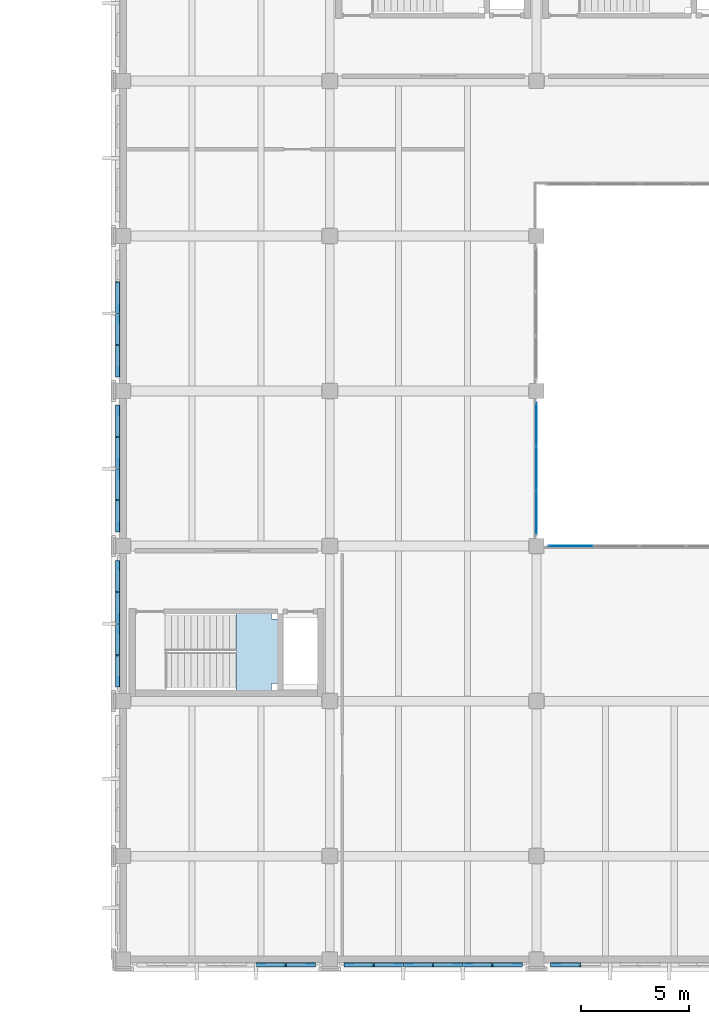
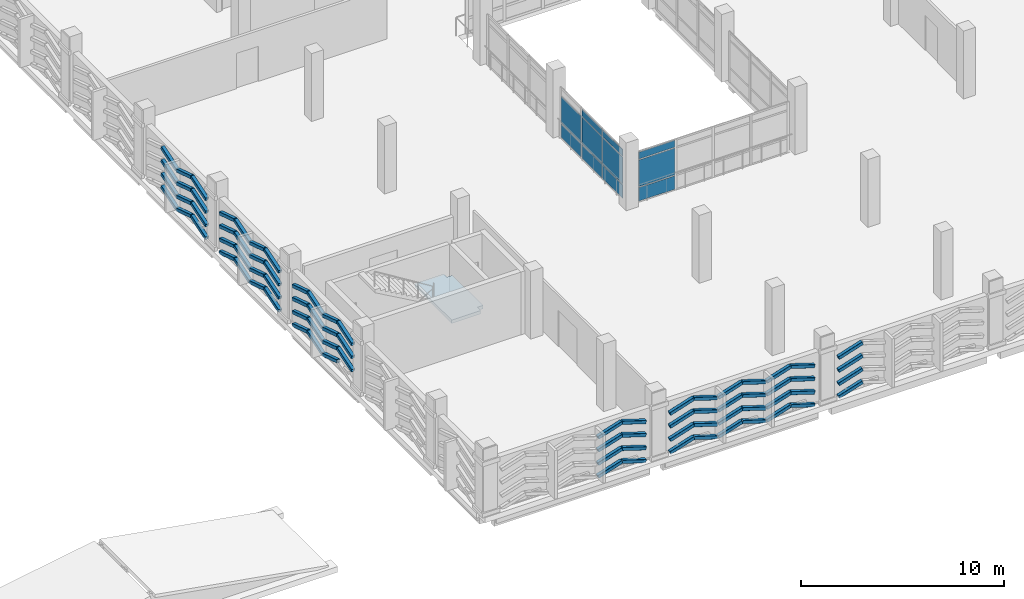
# One storey, part 125 of 180: 90 plates, 1 slab, 3 elements without a shape of their own.
"""IFC4 building model written with IfcOpenShell, lengths in metres."""

from ifc_helpers import new_model, si_unit, direction, frame, origin, origin_2d, place, context, subcontext, project, spatial, polyline, rectangle, hollow_rectangle, outline, extrude, material, layer, layer_set, material_profile, profile_set, type_object, element, aggregate, save


model = new_model("IFC4")

# Units and contexts
model_context = context("Model", 3, precision=1e-05, world=origin(), true_north=direction((0.0, 1.0)))
body_context = subcontext(model_context, "Body", "Model", "MODEL_VIEW")
ifc_project = project(units=[si_unit("LENGTHUNIT", "METRE"), si_unit("AREAUNIT", "SQUARE_METRE"), si_unit("VOLUMEUNIT", "CUBIC_METRE"), si_unit("PLANEANGLEUNIT", "RADIAN"), si_unit("MASSUNIT", "GRAM", prefix="KILO")], contexts=[model_context])

# Site, building, storey
site_placement = place(None, origin())
site = spatial("IfcSite", under=ifc_project, at=site_placement, CompositionType="ELEMENT")
building_placement = place(site_placement, origin())
building = spatial("IfcBuilding", under=site, at=building_placement, Name="Asteropetra Specialist Clinic", CompositionType="ELEMENT")
storey_placement = place(building_placement, frame((0.0, 0.0, 4.419921875)))
storey = spatial("IfcBuildingStorey", under=building, at=storey_placement, Name="L01", CompositionType="ELEMENT", Elevation=4.419921875)

# Plates
ifc_material_1 = material(Name="Chevron emerald aluminium 6063-T6", Category="aluminium")
ifc_material_profile = material_profile(ifc_material_1, hollow_rectangle(XDim=0.199951171875, YDim=0.199951171875, WallThickness=0.010009765625, InnerFilletRadius=0.008056640625, OuterFilletRadius=0.01611328125, at=origin_2d()), Name="SHS 200x200x10.0")
ifc_profile_set = profile_set([ifc_material_profile], Name="Chevron emerald aluminium 6063-T6")
plate_type_1 = type_object("IfcPlateType", Name="CHV-RIB-200", PredefinedType="SHEET", material=ifc_profile_set)
for number, where, z_axis, x_axis, name in (
    (1, (111.796630859375, -0.24951171875, 0.050048828125), (0.952436086829, 0.0, 0.304738413241), (0.0, 1.0, 0.0), "Chevron Facade Screen Fin CVR-1992"),
    (2, (113.1533203125, -0.24951171875, 0.484130859375), (0.952436086829, 0.0, -0.304738413241), (0.0, 1.0, 0.0), "Chevron Facade Screen Fin CVR-1993"),
    (3, (111.796630859375, -0.24951171875, 0.820068359375), (0.952436086829, 0.0, 0.304738413241), (0.0, 1.0, 0.0), "Chevron Facade Screen Fin CVR-1994"),
    (4, (113.1533203125, -0.24951171875, 1.254150390625), (0.952436086829, 0.0, -0.304738413241), (0.0, 1.0, 0.0), "Chevron Facade Screen Fin CVR-1995"),
    (5, (111.796630859375, -0.24951171875, 1.6201171875), (0.952436086829, 0.0, 0.304738413241), (0.0, 1.0, 0.0), "Chevron Facade Screen Fin CVR-1996"),
    (6, (113.1533203125, -0.24951171875, 2.05419921875), (0.952436086829, 0.0, -0.304738413241), (0.0, 1.0, 0.0), "Chevron Facade Screen Fin CVR-1997"),
    (7, (111.796630859375, -0.24951171875, 2.400146484375), (0.952436086829, 0.0, 0.304738413241), (0.0, 1.0, 0.0), "Chevron Facade Screen Fin CVR-1998"),
    (8, (113.1533203125, -0.24951171875, 2.834228515625), (0.952436086829, 0.0, -0.304738413241), (0.0, 1.0, 0.0), "Chevron Facade Screen Fin CVR-1999"),
    (9, (115.889892578125, -0.24951171875, 0.050048828125), (0.952436086829, 0.0, 0.304738413241), (0.0, 1.0, 0.0), "Chevron Facade Screen Fin CVR-2024"),
    (10, (117.24658203125, -0.24951171875, 0.484130859375), (0.952436086829, 0.0, -0.304738413241), (0.0, 1.0, 0.0), "Chevron Facade Screen Fin CVR-2025"),
    (11, (115.889892578125, -0.24951171875, 0.820068359375), (0.952436086829, 0.0, 0.304738413241), (0.0, 1.0, 0.0), "Chevron Facade Screen Fin CVR-2026"),
    (12, (117.24658203125, -0.24951171875, 1.254150390625), (0.952436086829, 0.0, -0.304738413241), (0.0, 1.0, 0.0), "Chevron Facade Screen Fin CVR-2027"),
    (13, (115.889892578125, -0.24951171875, 1.6201171875), (0.952436086829, 0.0, 0.304738413241), (0.0, 1.0, 0.0), "Chevron Facade Screen Fin CVR-2028"),
    (14, (117.24658203125, -0.24951171875, 2.05419921875), (0.952436086829, 0.0, -0.304738413241), (0.0, 1.0, 0.0), "Chevron Facade Screen Fin CVR-2029"),
    (15, (115.889892578125, -0.24951171875, 2.400146484375), (0.952436086829, 0.0, 0.304738413241), (0.0, 1.0, 0.0), "Chevron Facade Screen Fin CVR-2030"),
    (16, (117.24658203125, -0.24951171875, 2.834228515625), (0.952436086829, 0.0, -0.304738413241), (0.0, 1.0, 0.0), "Chevron Facade Screen Fin CVR-2031"),
    (17, (118.643310546875, -0.24951171875, 0.050048828125), (0.952436086829, 0.0, 0.304738413241), (0.0, 1.0, 0.0), "Chevron Facade Screen Fin CVR-2032"),
    (18, (120.0, -0.24951171875, 0.484130859375), (0.952436086829, 0.0, -0.304738413241), (0.0, 1.0, 0.0), "Chevron Facade Screen Fin CVR-2033"),
    (19, (118.643310546875, -0.24951171875, 0.820068359375), (0.952436086829, 0.0, 0.304738413241), (0.0, 1.0, 0.0), "Chevron Facade Screen Fin CVR-2034"),
    (20, (120.0, -0.24951171875, 1.254150390625), (0.952436086829, 0.0, -0.304738413241), (0.0, 1.0, 0.0), "Chevron Facade Screen Fin CVR-2035"),
    (21, (118.643310546875, -0.24951171875, 1.6201171875), (0.952436086829, 0.0, 0.304738413241), (0.0, 1.0, 0.0), "Chevron Facade Screen Fin CVR-2036"),
    (22, (120.0, -0.24951171875, 2.05419921875), (0.952436086829, 0.0, -0.304738413241), (0.0, 1.0, 0.0), "Chevron Facade Screen Fin CVR-2037"),
    (23, (118.643310546875, -0.24951171875, 2.400146484375), (0.952436086829, 0.0, 0.304738413241), (0.0, 1.0, 0.0), "Chevron Facade Screen Fin CVR-2038"),
    (24, (120.0, -0.24951171875, 2.834228515625), (0.952436086829, 0.0, -0.304738413241), (0.0, 1.0, 0.0), "Chevron Facade Screen Fin CVR-2039"),
    (25, (121.396728515625, -0.24951171875, 0.050048828125), (0.952436086829, 0.0, 0.304738413241), (0.0, 1.0, 0.0), "Chevron Facade Screen Fin CVR-2040"),
    (26, (122.75341796875, -0.24951171875, 0.484130859375), (0.952436086829, 0.0, -0.304738413241), (0.0, 1.0, 0.0), "Chevron Facade Screen Fin CVR-2041"),
    (27, (121.396728515625, -0.24951171875, 0.820068359375), (0.952436086829, 0.0, 0.304738413241), (0.0, 1.0, 0.0), "Chevron Facade Screen Fin CVR-2042"),
    (28, (122.75341796875, -0.24951171875, 1.254150390625), (0.952436086829, 0.0, -0.304738413241), (0.0, 1.0, 0.0), "Chevron Facade Screen Fin CVR-2043"),
    (29, (121.396728515625, -0.24951171875, 1.6201171875), (0.952436086829, 0.0, 0.304738413241), (0.0, 1.0, 0.0), "Chevron Facade Screen Fin CVR-2044"),
    (30, (122.75341796875, -0.24951171875, 2.05419921875), (0.952436086829, 0.0, -0.304738413241), (0.0, 1.0, 0.0), "Chevron Facade Screen Fin CVR-2045"),
    (31, (121.396728515625, -0.24951171875, 2.400146484375), (0.952436086829, 0.0, 0.304738413241), (0.0, 1.0, 0.0), "Chevron Facade Screen Fin CVR-2046"),
    (32, (122.75341796875, -0.24951171875, 2.834228515625), (0.952436086829, 0.0, -0.304738413241), (0.0, 1.0, 0.0), "Chevron Facade Screen Fin CVR-2047"),
    (33, (125.489990234375, -0.24951171875, 0.050048828125), (0.952436086829, 0.0, 0.304738413241), (0.0, 1.0, 0.0), "Chevron Facade Screen Fin CVR-2048"),
    (34, (125.489990234375, -0.24951171875, 0.820068359375), (0.952436086829, 0.0, 0.304738413241), (0.0, 1.0, 0.0), "Chevron Facade Screen Fin CVR-2050"),
    (35, (125.489990234375, -0.24951171875, 1.6201171875), (0.952436086829, 0.0, 0.304738413241), (0.0, 1.0, 0.0), "Chevron Facade Screen Fin CVR-2052"),
    (36, (125.489990234375, -0.24951171875, 2.400146484375), (0.952436086829, 0.0, 0.304738413241), (0.0, 1.0, 0.0), "Chevron Facade Screen Fin CVR-2054"),
):
    element("IfcPlate", number, at=place(storey_placement, frame(where, z_axis=z_axis, x_axis=x_axis)), inside=storey, type_object=plate_type_1, Name=name, PredefinedType="SHEET", context=body_context, shape_type="SweptSolid", body=[
        extrude(hollow_rectangle(XDim=0.199951171875, YDim=0.199951171875, WallThickness=0.010009765625, InnerFilletRadius=0.008056640625, OuterFilletRadius=0.01611328125, at=origin_2d()), origin(), (0.0, 0.0, 1.0), 1.424560546875),
    ])
plate_1_placement = place(storey_placement, frame((105.3505859375, 18.510009765625, 0.050048828125), z_axis=(0.0, -0.952521261695, 0.304472077568), x_axis=(1.0, 0.0, 0.0)))
element("IfcPlate", 37, at=plate_1_placement, inside=storey, type_object=plate_type_1, Name="Chevron Facade Screen Fin CVR-2240", PredefinedType="SHEET", context=body_context, shape_type="SweptSolid", body=[
    extrude(hollow_rectangle(XDim=0.199951171875, YDim=0.199951171875, WallThickness=0.010009765625, InnerFilletRadius=0.008056640625, OuterFilletRadius=0.01611328125, at=origin_2d()), origin(), (0.0, 0.0, 1.0), 1.51708984375),
])
plate_2_placement = place(storey_placement, frame((105.3505859375, 17.06494140625, 0.511962890625), z_axis=(0.0, -0.952506339897, -0.304518755506), x_axis=(1.0, 0.0, 0.0)))
element("IfcPlate", 38, at=plate_2_placement, inside=storey, type_object=plate_type_1, Name="Chevron Facade Screen Fin CVR-2241", PredefinedType="SHEET", context=body_context, shape_type="SweptSolid", body=[
    extrude(hollow_rectangle(XDim=0.199951171875, YDim=0.199951171875, WallThickness=0.010009765625, InnerFilletRadius=0.008056640625, OuterFilletRadius=0.01611328125, at=origin_2d()), origin(), (0.0, 0.0, 1.0), 1.516845703125),
])
plate_3_placement = place(storey_placement, frame((105.3505859375, 18.510009765625, 0.820068359375), z_axis=(0.0, -0.952521261695, 0.304472077568), x_axis=(1.0, 0.0, 0.0)))
element("IfcPlate", 39, at=plate_3_placement, inside=storey, type_object=plate_type_1, Name="Chevron Facade Screen Fin CVR-2242", PredefinedType="SHEET", context=body_context, shape_type="SweptSolid", body=[
    extrude(hollow_rectangle(XDim=0.199951171875, YDim=0.199951171875, WallThickness=0.010009765625, InnerFilletRadius=0.008056640625, OuterFilletRadius=0.01611328125, at=origin_2d()), origin(), (0.0, 0.0, 1.0), 1.51708984375),
])
plate_4_placement = place(storey_placement, frame((105.3505859375, 17.06494140625, 1.281982421875), z_axis=(0.0, -0.952506339897, -0.304518755506), x_axis=(1.0, 0.0, 0.0)))
element("IfcPlate", 40, at=plate_4_placement, inside=storey, type_object=plate_type_1, Name="Chevron Facade Screen Fin CVR-2243", PredefinedType="SHEET", context=body_context, shape_type="SweptSolid", body=[
    extrude(hollow_rectangle(XDim=0.199951171875, YDim=0.199951171875, WallThickness=0.010009765625, InnerFilletRadius=0.008056640625, OuterFilletRadius=0.01611328125, at=origin_2d()), origin(), (0.0, 0.0, 1.0), 1.516845703125),
])
plate_5_placement = place(storey_placement, frame((105.3505859375, 18.510009765625, 1.6201171875), z_axis=(0.0, -0.952521261695, 0.304472077568), x_axis=(1.0, 0.0, 0.0)))
element("IfcPlate", 41, at=plate_5_placement, inside=storey, type_object=plate_type_1, Name="Chevron Facade Screen Fin CVR-2244", PredefinedType="SHEET", context=body_context, shape_type="SweptSolid", body=[
    extrude(hollow_rectangle(XDim=0.199951171875, YDim=0.199951171875, WallThickness=0.010009765625, InnerFilletRadius=0.008056640625, OuterFilletRadius=0.01611328125, at=origin_2d()), origin(), (0.0, 0.0, 1.0), 1.51708984375),
])
plate_6_placement = place(storey_placement, frame((105.3505859375, 17.06494140625, 2.08203125), z_axis=(0.0, -0.952506339897, -0.304518755506), x_axis=(1.0, 0.0, 0.0)))
element("IfcPlate", 42, at=plate_6_placement, inside=storey, type_object=plate_type_1, Name="Chevron Facade Screen Fin CVR-2245", PredefinedType="SHEET", context=body_context, shape_type="SweptSolid", body=[
    extrude(hollow_rectangle(XDim=0.199951171875, YDim=0.199951171875, WallThickness=0.010009765625, InnerFilletRadius=0.008056640625, OuterFilletRadius=0.01611328125, at=origin_2d()), origin(), (0.0, 0.0, 1.0), 1.516845703125),
])
plate_7_placement = place(storey_placement, frame((105.3505859375, 18.510009765625, 2.400146484375), z_axis=(0.0, -0.952521261695, 0.304472077568), x_axis=(1.0, 0.0, 0.0)))
element("IfcPlate", 43, at=plate_7_placement, inside=storey, type_object=plate_type_1, Name="Chevron Facade Screen Fin CVR-2246", PredefinedType="SHEET", context=body_context, shape_type="SweptSolid", body=[
    extrude(hollow_rectangle(XDim=0.199951171875, YDim=0.199951171875, WallThickness=0.010009765625, InnerFilletRadius=0.008056640625, OuterFilletRadius=0.01611328125, at=origin_2d()), origin(), (0.0, 0.0, 1.0), 1.51708984375),
])
plate_8_placement = place(storey_placement, frame((105.3505859375, 17.06494140625, 2.862060546875), z_axis=(0.0, -0.952506339897, -0.304518755506), x_axis=(1.0, 0.0, 0.0)))
element("IfcPlate", 44, at=plate_8_placement, inside=storey, type_object=plate_type_1, Name="Chevron Facade Screen Fin CVR-2247", PredefinedType="SHEET", context=body_context, shape_type="SweptSolid", body=[
    extrude(hollow_rectangle(XDim=0.199951171875, YDim=0.199951171875, WallThickness=0.010009765625, InnerFilletRadius=0.008056640625, OuterFilletRadius=0.01611328125, at=origin_2d()), origin(), (0.0, 0.0, 1.0), 1.516845703125),
])
for number, where, z_axis, x_axis, name in (
    (45, (105.3505859375, 15.580078125, 0.050048828125), (0.0, -0.952521261695, 0.304472077568), (1.0, 0.0, 0.0), "Chevron Facade Screen Fin CVR-2248"),
    (46, (105.3505859375, 15.580078125, 0.820068359375), (0.0, -0.952521261695, 0.304472077568), (1.0, 0.0, 0.0), "Chevron Facade Screen Fin CVR-2250"),
    (47, (105.3505859375, 14.135009765625, 1.281982421875), (0.0, -0.952521261695, -0.304472077568), (1.0, 0.0, 0.0), "Chevron Facade Screen Fin CVR-2251"),
    (48, (105.3505859375, 15.580078125, 1.6201171875), (0.0, -0.952521261695, 0.304472077568), (1.0, 0.0, 0.0), "Chevron Facade Screen Fin CVR-2252"),
    (49, (105.3505859375, 14.135009765625, 2.08203125), (0.0, -0.952521261695, -0.304472077568), (1.0, 0.0, 0.0), "Chevron Facade Screen Fin CVR-2253"),
    (50, (105.3505859375, 15.580078125, 2.400146484375), (0.0, -0.952521261695, 0.304472077568), (1.0, 0.0, 0.0), "Chevron Facade Screen Fin CVR-2254"),
    (51, (105.3505859375, 14.135009765625, 2.862060546875), (0.0, -0.952521261695, -0.304472077568), (1.0, 0.0, 0.0), "Chevron Facade Screen Fin CVR-2255"),
    (52, (105.3505859375, 25.7099609375, 0.050048828125), (0.0, -0.952521261695, 0.304472077568), (1.0, 0.0, 0.0), "Chevron Facade Screen Fin CVR-2272"),
):
    element("IfcPlate", number, at=place(storey_placement, frame(where, z_axis=z_axis, x_axis=x_axis)), inside=storey, type_object=plate_type_1, Name=name, PredefinedType="SHEET", context=body_context, shape_type="SweptSolid", body=[
        extrude(hollow_rectangle(XDim=0.199951171875, YDim=0.199951171875, WallThickness=0.010009765625, InnerFilletRadius=0.008056640625, OuterFilletRadius=0.01611328125, at=origin_2d()), origin(), (0.0, 0.0, 1.0), 1.51708984375),
    ])
plate_9_placement = place(storey_placement, frame((105.3505859375, 24.264892578125, 0.511962890625), z_axis=(0.0, -0.952506339897, -0.304518755506), x_axis=(1.0, 0.0, 0.0)))
element("IfcPlate", 53, at=plate_9_placement, inside=storey, type_object=plate_type_1, Name="Chevron Facade Screen Fin CVR-2273", PredefinedType="SHEET", context=body_context, shape_type="SweptSolid", body=[
    extrude(hollow_rectangle(XDim=0.199951171875, YDim=0.199951171875, WallThickness=0.010009765625, InnerFilletRadius=0.008056640625, OuterFilletRadius=0.01611328125, at=origin_2d()), origin(), (0.0, 0.0, 1.0), 1.516845703125),
])
plate_10_placement = place(storey_placement, frame((105.3505859375, 25.7099609375, 0.820068359375), z_axis=(0.0, -0.952521261695, 0.304472077568), x_axis=(1.0, 0.0, 0.0)))
element("IfcPlate", 54, at=plate_10_placement, inside=storey, type_object=plate_type_1, Name="Chevron Facade Screen Fin CVR-2274", PredefinedType="SHEET", context=body_context, shape_type="SweptSolid", body=[
    extrude(hollow_rectangle(XDim=0.199951171875, YDim=0.199951171875, WallThickness=0.010009765625, InnerFilletRadius=0.008056640625, OuterFilletRadius=0.01611328125, at=origin_2d()), origin(), (0.0, 0.0, 1.0), 1.51708984375),
])
plate_11_placement = place(storey_placement, frame((105.3505859375, 24.264892578125, 1.281982421875), z_axis=(0.0, -0.952506339897, -0.304518755506), x_axis=(1.0, 0.0, 0.0)))
element("IfcPlate", 55, at=plate_11_placement, inside=storey, type_object=plate_type_1, Name="Chevron Facade Screen Fin CVR-2275", PredefinedType="SHEET", context=body_context, shape_type="SweptSolid", body=[
    extrude(hollow_rectangle(XDim=0.199951171875, YDim=0.199951171875, WallThickness=0.010009765625, InnerFilletRadius=0.008056640625, OuterFilletRadius=0.01611328125, at=origin_2d()), origin(), (0.0, 0.0, 1.0), 1.516845703125),
])
plate_12_placement = place(storey_placement, frame((105.3505859375, 25.7099609375, 1.6201171875), z_axis=(0.0, -0.952521261695, 0.304472077568), x_axis=(1.0, 0.0, 0.0)))
element("IfcPlate", 56, at=plate_12_placement, inside=storey, type_object=plate_type_1, Name="Chevron Facade Screen Fin CVR-2276", PredefinedType="SHEET", context=body_context, shape_type="SweptSolid", body=[
    extrude(hollow_rectangle(XDim=0.199951171875, YDim=0.199951171875, WallThickness=0.010009765625, InnerFilletRadius=0.008056640625, OuterFilletRadius=0.01611328125, at=origin_2d()), origin(), (0.0, 0.0, 1.0), 1.51708984375),
])
plate_13_placement = place(storey_placement, frame((105.3505859375, 24.264892578125, 2.08203125), z_axis=(0.0, -0.952506339897, -0.304518755506), x_axis=(1.0, 0.0, 0.0)))
element("IfcPlate", 57, at=plate_13_placement, inside=storey, type_object=plate_type_1, Name="Chevron Facade Screen Fin CVR-2277", PredefinedType="SHEET", context=body_context, shape_type="SweptSolid", body=[
    extrude(hollow_rectangle(XDim=0.199951171875, YDim=0.199951171875, WallThickness=0.010009765625, InnerFilletRadius=0.008056640625, OuterFilletRadius=0.01611328125, at=origin_2d()), origin(), (0.0, 0.0, 1.0), 1.516845703125),
])
plate_14_placement = place(storey_placement, frame((105.3505859375, 25.7099609375, 2.400146484375), z_axis=(0.0, -0.952521261695, 0.304472077568), x_axis=(1.0, 0.0, 0.0)))
element("IfcPlate", 58, at=plate_14_placement, inside=storey, type_object=plate_type_1, Name="Chevron Facade Screen Fin CVR-2278", PredefinedType="SHEET", context=body_context, shape_type="SweptSolid", body=[
    extrude(hollow_rectangle(XDim=0.199951171875, YDim=0.199951171875, WallThickness=0.010009765625, InnerFilletRadius=0.008056640625, OuterFilletRadius=0.01611328125, at=origin_2d()), origin(), (0.0, 0.0, 1.0), 1.51708984375),
])
plate_15_placement = place(storey_placement, frame((105.3505859375, 24.264892578125, 2.862060546875), z_axis=(0.0, -0.952506339897, -0.304518755506), x_axis=(1.0, 0.0, 0.0)))
element("IfcPlate", 59, at=plate_15_placement, inside=storey, type_object=plate_type_1, Name="Chevron Facade Screen Fin CVR-2279", PredefinedType="SHEET", context=body_context, shape_type="SweptSolid", body=[
    extrude(hollow_rectangle(XDim=0.199951171875, YDim=0.199951171875, WallThickness=0.010009765625, InnerFilletRadius=0.008056640625, OuterFilletRadius=0.01611328125, at=origin_2d()), origin(), (0.0, 0.0, 1.0), 1.516845703125),
])
for number, where, z_axis, x_axis, name in (
    (60, (105.3505859375, 22.780029296875, 0.050048828125), (0.0, -0.952521261695, 0.304472077568), (1.0, 0.0, 0.0), "Chevron Facade Screen Fin CVR-2280"),
    (61, (105.3505859375, 21.3349609375, 0.511962890625), (0.0, -0.952521261695, -0.304472077568), (1.0, 0.0, 0.0), "Chevron Facade Screen Fin CVR-2281"),
    (62, (105.3505859375, 22.780029296875, 0.820068359375), (0.0, -0.952521261695, 0.304472077568), (1.0, 0.0, 0.0), "Chevron Facade Screen Fin CVR-2282"),
    (63, (105.3505859375, 21.3349609375, 1.281982421875), (0.0, -0.952521261695, -0.304472077568), (1.0, 0.0, 0.0), "Chevron Facade Screen Fin CVR-2283"),
    (64, (105.3505859375, 22.780029296875, 1.6201171875), (0.0, -0.952521261695, 0.304472077568), (1.0, 0.0, 0.0), "Chevron Facade Screen Fin CVR-2284"),
    (65, (105.3505859375, 21.3349609375, 2.08203125), (0.0, -0.952521261695, -0.304472077568), (1.0, 0.0, 0.0), "Chevron Facade Screen Fin CVR-2285"),
    (66, (105.3505859375, 22.780029296875, 2.400146484375), (0.0, -0.952521261695, 0.304472077568), (1.0, 0.0, 0.0), "Chevron Facade Screen Fin CVR-2286"),
    (67, (105.3505859375, 21.3349609375, 2.862060546875), (0.0, -0.952521261695, -0.304472077568), (1.0, 0.0, 0.0), "Chevron Facade Screen Fin CVR-2287"),
    (68, (105.3505859375, 31.465087890625, 0.511962890625), (0.0, -0.952521261695, -0.304472077568), (1.0, 0.0, 0.0), "Chevron Facade Screen Fin CVR-2305"),
    (69, (105.3505859375, 31.465087890625, 1.281982421875), (0.0, -0.952521261695, -0.304472077568), (1.0, 0.0, 0.0), "Chevron Facade Screen Fin CVR-2307"),
    (70, (105.3505859375, 31.465087890625, 2.08203125), (0.0, -0.952521261695, -0.304472077568), (1.0, 0.0, 0.0), "Chevron Facade Screen Fin CVR-2309"),
    (71, (105.3505859375, 31.465087890625, 2.862060546875), (0.0, -0.952521261695, -0.304472077568), (1.0, 0.0, 0.0), "Chevron Facade Screen Fin CVR-2311"),
    (72, (105.3505859375, 29.97998046875, 0.050048828125), (0.0, -0.952521261695, 0.304472077568), (1.0, 0.0, 0.0), "Chevron Facade Screen Fin CVR-2312"),
):
    element("IfcPlate", number, at=place(storey_placement, frame(where, z_axis=z_axis, x_axis=x_axis)), inside=storey, type_object=plate_type_1, Name=name, PredefinedType="SHEET", context=body_context, shape_type="SweptSolid", body=[
        extrude(hollow_rectangle(XDim=0.199951171875, YDim=0.199951171875, WallThickness=0.010009765625, InnerFilletRadius=0.008056640625, OuterFilletRadius=0.01611328125, at=origin_2d()), origin(), (0.0, 0.0, 1.0), 1.51708984375),
    ])
plate_16_placement = place(storey_placement, frame((105.3505859375, 28.534912109375, 0.511962890625), z_axis=(0.0, -0.952506339897, -0.304518755506), x_axis=(1.0, 0.0, 0.0)))
element("IfcPlate", 73, at=plate_16_placement, inside=storey, type_object=plate_type_1, Name="Chevron Facade Screen Fin CVR-2313", PredefinedType="SHEET", context=body_context, shape_type="SweptSolid", body=[
    extrude(hollow_rectangle(XDim=0.199951171875, YDim=0.199951171875, WallThickness=0.010009765625, InnerFilletRadius=0.008056640625, OuterFilletRadius=0.01611328125, at=origin_2d()), origin(), (0.0, 0.0, 1.0), 1.516845703125),
])
plate_17_placement = place(storey_placement, frame((105.3505859375, 29.97998046875, 0.820068359375), z_axis=(0.0, -0.952521261695, 0.304472077568), x_axis=(1.0, 0.0, 0.0)))
element("IfcPlate", 74, at=plate_17_placement, inside=storey, type_object=plate_type_1, Name="Chevron Facade Screen Fin CVR-2314", PredefinedType="SHEET", context=body_context, shape_type="SweptSolid", body=[
    extrude(hollow_rectangle(XDim=0.199951171875, YDim=0.199951171875, WallThickness=0.010009765625, InnerFilletRadius=0.008056640625, OuterFilletRadius=0.01611328125, at=origin_2d()), origin(), (0.0, 0.0, 1.0), 1.51708984375),
])
plate_18_placement = place(storey_placement, frame((105.3505859375, 28.534912109375, 1.281982421875), z_axis=(0.0, -0.952506339897, -0.304518755506), x_axis=(1.0, 0.0, 0.0)))
element("IfcPlate", 75, at=plate_18_placement, inside=storey, type_object=plate_type_1, Name="Chevron Facade Screen Fin CVR-2315", PredefinedType="SHEET", context=body_context, shape_type="SweptSolid", body=[
    extrude(hollow_rectangle(XDim=0.199951171875, YDim=0.199951171875, WallThickness=0.010009765625, InnerFilletRadius=0.008056640625, OuterFilletRadius=0.01611328125, at=origin_2d()), origin(), (0.0, 0.0, 1.0), 1.516845703125),
])
plate_19_placement = place(storey_placement, frame((105.3505859375, 29.97998046875, 1.6201171875), z_axis=(0.0, -0.952521261695, 0.304472077568), x_axis=(1.0, 0.0, 0.0)))
element("IfcPlate", 76, at=plate_19_placement, inside=storey, type_object=plate_type_1, Name="Chevron Facade Screen Fin CVR-2316", PredefinedType="SHEET", context=body_context, shape_type="SweptSolid", body=[
    extrude(hollow_rectangle(XDim=0.199951171875, YDim=0.199951171875, WallThickness=0.010009765625, InnerFilletRadius=0.008056640625, OuterFilletRadius=0.01611328125, at=origin_2d()), origin(), (0.0, 0.0, 1.0), 1.51708984375),
])
plate_20_placement = place(storey_placement, frame((105.3505859375, 28.534912109375, 2.08203125), z_axis=(0.0, -0.952506339897, -0.304518755506), x_axis=(1.0, 0.0, 0.0)))
element("IfcPlate", 77, at=plate_20_placement, inside=storey, type_object=plate_type_1, Name="Chevron Facade Screen Fin CVR-2317", PredefinedType="SHEET", context=body_context, shape_type="SweptSolid", body=[
    extrude(hollow_rectangle(XDim=0.199951171875, YDim=0.199951171875, WallThickness=0.010009765625, InnerFilletRadius=0.008056640625, OuterFilletRadius=0.01611328125, at=origin_2d()), origin(), (0.0, 0.0, 1.0), 1.516845703125),
])
plate_21_placement = place(storey_placement, frame((105.3505859375, 29.97998046875, 2.400146484375), z_axis=(0.0, -0.952521261695, 0.304472077568), x_axis=(1.0, 0.0, 0.0)))
element("IfcPlate", 78, at=plate_21_placement, inside=storey, type_object=plate_type_1, Name="Chevron Facade Screen Fin CVR-2318", PredefinedType="SHEET", context=body_context, shape_type="SweptSolid", body=[
    extrude(hollow_rectangle(XDim=0.199951171875, YDim=0.199951171875, WallThickness=0.010009765625, InnerFilletRadius=0.008056640625, OuterFilletRadius=0.01611328125, at=origin_2d()), origin(), (0.0, 0.0, 1.0), 1.51708984375),
])
plate_22_placement = place(storey_placement, frame((105.3505859375, 28.534912109375, 2.862060546875), z_axis=(0.0, -0.952506339897, -0.304518755506), x_axis=(1.0, 0.0, 0.0)))
element("IfcPlate", 79, at=plate_22_placement, inside=storey, type_object=plate_type_1, Name="Chevron Facade Screen Fin CVR-2319", PredefinedType="SHEET", context=body_context, shape_type="SweptSolid", body=[
    extrude(hollow_rectangle(XDim=0.199951171875, YDim=0.199951171875, WallThickness=0.010009765625, InnerFilletRadius=0.008056640625, OuterFilletRadius=0.01611328125, at=origin_2d()), origin(), (0.0, 0.0, 1.0), 1.516845703125),
])

# Curtain wall, plates
ifc_material_2 = material(Name="Aluminium and low-E glass", Category="aluminium")
ifc_layer_1 = layer(ifc_material_2, 0.179931640625)
ifc_layer_set_1 = layer_set([ifc_layer_1], Name="Aluminium and low-E glass")
curtain_wall_type_1 = type_object("IfcCurtainWallType", Name="CW-SYS-10", PredefinedType="USERDEFINED", material=ifc_layer_set_1)
curtain_wall_1_placement = place(storey_placement, origin())
curtain_wall_1 = element("IfcCurtainWall", 80, at=curtain_wall_1_placement, inside=storey, type_object=curtain_wall_type_1, Name="Curtain Wall CW-073", ObjectType="STICK GLAZED COLONNADE", PredefinedType="USERDEFINED")
ifc_material_3 = material(Name="Low-E acoustic double glazing", Category="glass")
ifc_layer_2 = layer(ifc_material_3, 0.031982421875)
ifc_layer_set_2 = layer_set([ifc_layer_2], Name="Low-E acoustic double glazing")
plate_type_2 = type_object("IfcPlateType", Name="CWP-GLZ-32", PredefinedType="CURTAIN_PANEL", material=ifc_layer_set_2)
plate_23_placement = place(storey_placement, frame((124.800048828125, 24.84375, 0.06494140625), z_axis=(0.0, 0.0, 1.0), x_axis=(0.0, -1.0, 0.0)))
plate_23 = element("IfcPlate", 81, at=plate_23_placement, type_object=plate_type_2, Name="CW-073 panel 1.1", PredefinedType="CURTAIN_PANEL", context=body_context, shape_type="SweptSolid", body=[
    extrude(rectangle(XDim=1.96240234375, YDim=0.031982421875, at=origin_2d()), origin(), (0.0, 0.0, 1.0), 0.802490234375),
])
plate_24_placement = place(storey_placement, frame((124.800048828125, 24.84375, 0.9326171875), z_axis=(0.0, 0.0, 1.0), x_axis=(0.0, -1.0, 0.0)))
plate_24 = element("IfcPlate", 82, at=plate_24_placement, type_object=plate_type_2, Name="CW-073 panel 1.2", PredefinedType="CURTAIN_PANEL", context=body_context, shape_type="SweptSolid", body=[
    extrude(rectangle(XDim=1.96240234375, YDim=0.031982421875, at=origin_2d()), origin(), (0.0, 0.0, 1.0), 1.594970703125),
])
plate_25_placement = place(storey_placement, frame((124.800048828125, 22.800048828125, 0.06494140625), z_axis=(0.0, 0.0, 1.0), x_axis=(0.0, -1.0, 0.0)))
plate_25 = element("IfcPlate", 83, at=plate_25_placement, type_object=plate_type_2, Name="CW-073 panel 2.1", PredefinedType="CURTAIN_PANEL", context=body_context, shape_type="SweptSolid", body=[
    extrude(rectangle(XDim=1.9951171875, YDim=0.031982421875, at=origin_2d()), origin(), (0.0, 0.0, 1.0), 0.802490234375),
])
plate_26_placement = place(storey_placement, frame((124.800048828125, 22.800048828125, 0.9326171875), z_axis=(0.0, 0.0, 1.0), x_axis=(0.0, -1.0, 0.0)))
plate_26 = element("IfcPlate", 84, at=plate_26_placement, type_object=plate_type_2, Name="CW-073 panel 2.2", PredefinedType="CURTAIN_PANEL", context=body_context, shape_type="SweptSolid", body=[
    extrude(rectangle(XDim=1.9951171875, YDim=0.031982421875, at=origin_2d()), origin(), (0.0, 0.0, 1.0), 1.594970703125),
])
plate_27_placement = place(storey_placement, frame((124.800048828125, 22.800048828125, 2.5927734375), z_axis=(0.0, 0.0, 1.0), x_axis=(0.0, -1.0, 0.0)))
plate_27 = element("IfcPlate", 85, at=plate_27_placement, type_object=plate_type_2, Name="CW-073 panel 2.3", PredefinedType="CURTAIN_PANEL", context=body_context, shape_type="SweptSolid", body=[
    extrude(rectangle(XDim=1.9951171875, YDim=0.031982421875, at=origin_2d()), origin(), (0.0, 0.0, 1.0), 0.402587890625),
])
plate_28_placement = place(storey_placement, frame((124.800048828125, 20.75634765625, 0.06494140625), z_axis=(0.0, 0.0, 1.0), x_axis=(0.0, -1.0, 0.0)))
plate_28 = element("IfcPlate", 86, at=plate_28_placement, type_object=plate_type_2, Name="CW-073 panel 3.1", PredefinedType="CURTAIN_PANEL", context=body_context, shape_type="SweptSolid", body=[
    extrude(rectangle(XDim=1.96240234375, YDim=0.031982421875, at=origin_2d()), origin(), (0.0, 0.0, 1.0), 0.802490234375),
])
plate_29_placement = place(storey_placement, frame((124.800048828125, 20.75634765625, 0.9326171875), z_axis=(0.0, 0.0, 1.0), x_axis=(0.0, -1.0, 0.0)))
plate_29 = element("IfcPlate", 87, at=plate_29_placement, type_object=plate_type_2, Name="CW-073 panel 3.2", PredefinedType="CURTAIN_PANEL", context=body_context, shape_type="SweptSolid", body=[
    extrude(rectangle(XDim=1.96240234375, YDim=0.031982421875, at=origin_2d()), origin(), (0.0, 0.0, 1.0), 1.594970703125),
])
plate_30_placement = place(storey_placement, frame((124.800048828125, 20.75634765625, 2.5927734375), z_axis=(0.0, 0.0, 1.0), x_axis=(0.0, -1.0, 0.0)))
plate_30 = element("IfcPlate", 88, at=plate_30_placement, type_object=plate_type_2, Name="CW-073 panel 3.3", PredefinedType="CURTAIN_PANEL", context=body_context, shape_type="SweptSolid", body=[
    extrude(rectangle(XDim=1.96240234375, YDim=0.031982421875, at=origin_2d()), origin(), (0.0, 0.0, 1.0), 0.402587890625),
])
aggregate(curtain_wall_1, [plate_23, plate_24, plate_25, plate_26, plate_27, plate_28, plate_29, plate_30])

ifc_material_4 = material(Name="Aluminium and low-E glass", Category="aluminium")
ifc_layer_3 = layer(ifc_material_4, 0.14990234375)
ifc_layer_set_3 = layer_set([ifc_layer_3], Name="Aluminium and low-E glass")
curtain_wall_type_2 = type_object("IfcCurtainWallType", Name="CW-SYS-08", PredefinedType="USERDEFINED", material=ifc_layer_set_3)
curtain_wall_2_placement = place(storey_placement, origin())
curtain_wall_2 = element("IfcCurtainWall", 89, at=curtain_wall_2_placement, inside=storey, type_object=curtain_wall_type_2, Name="Curtain Wall CW-071", ObjectType="STICK GLAZED COLONNADE", PredefinedType="USERDEFINED")
ifc_material_5 = material(Name="Laminated skylight glazing", Category="glass")
ifc_layer_4 = layer(ifc_material_5, 0.0400390625)
ifc_layer_set_4 = layer_set([ifc_layer_4], Name="Laminated skylight glazing")
plate_type_3 = type_object("IfcPlateType", Name="CWP-GLZ-40", PredefinedType="CURTAIN_PANEL", material=ifc_layer_set_4)
plate_31_placement = place(storey_placement, frame((126.3974609375, 19.199951171875, 0.06005859375), z_axis=(0.0, 0.0, 1.0), x_axis=(1.0, 0.0, 0.0)))
plate_31 = element("IfcPlate", 90, at=plate_31_placement, type_object=plate_type_3, Name="CW-071 panel 1.1", PredefinedType="CURTAIN_PANEL", context=body_context, shape_type="SweptSolid", body=[
    extrude(rectangle(XDim=2.054931640625, YDim=0.0400390625, at=origin_2d()), origin(), (0.0, 0.0, 1.0), 0.81005859375),
])
plate_32_placement = place(storey_placement, frame((126.3974609375, 19.199951171875, 0.929931640625), z_axis=(0.0, 0.0, 1.0), x_axis=(1.0, 0.0, 0.0)))
plate_32 = element("IfcPlate", 91, at=plate_32_placement, type_object=plate_type_3, Name="CW-071 panel 1.2", PredefinedType="CURTAIN_PANEL", context=body_context, shape_type="SweptSolid", body=[
    extrude(rectangle(XDim=2.054931640625, YDim=0.0400390625, at=origin_2d()), origin(), (0.0, 0.0, 1.0), 1.60009765625),
])
plate_33_placement = place(storey_placement, frame((126.3974609375, 19.199951171875, 2.59033203125), z_axis=(0.0, 0.0, 1.0), x_axis=(1.0, 0.0, 0.0)))
plate_33 = element("IfcPlate", 92, at=plate_33_placement, type_object=plate_type_3, Name="CW-071 panel 1.3", PredefinedType="CURTAIN_PANEL", context=body_context, shape_type="SweptSolid", body=[
    extrude(rectangle(XDim=2.054931640625, YDim=0.0400390625, at=origin_2d()), origin(), (0.0, 0.0, 1.0), 0.409912109375),
])
aggregate(curtain_wall_2, [plate_31, plate_32, plate_33])

# Stair, slab
ifc_material_6 = material(Name="Concrete C35/45", Category="concrete")
stair_type = type_object("IfcStairType", Name="STR-DOG-165", PredefinedType="TWO_STRAIGHT_RUN_STAIR", material=ifc_material_6)
stair_placement = place(storey_placement, origin())
stair = element("IfcStair", 93, at=stair_placement, inside=storey, type_object=stair_type, Name="Type I Stair ST08-L01", PredefinedType="TWO_STRAIGHT_RUN_STAIR")
ifc_material_7 = material(Name="Concrete C35/45", Category="concrete")
ifc_layer_5 = layer(ifc_material_7, 0.199951171875)
ifc_layer_set_5 = layer_set([ifc_layer_5], Name="Concrete C35/45")
slab_type = type_object("IfcSlabType", Name="SLB-LND-200", PredefinedType="LANDING", material=ifc_layer_set_5)
slab_placement = place(storey_placement, frame((0.0, 0.0, 1.840087890625)))
slab = element("IfcSlab", 94, at=slab_placement, type_object=slab_type, Name="ST08-L01 landing 1", PredefinedType="LANDING", context=body_context, shape_type="SweptSolid", body=[
    extrude(outline(polyline([(110.85009765625, 12.489990234375), (112.5, 12.489990234375), (112.5, 12.81005859375), (112.820068359375, 12.81005859375), (112.820068359375, 15.81005859375), (112.5, 15.81005859375), (112.5, 16.1298828125), (110.85009765625, 16.1298828125), (110.85009765625, 12.489990234375)])), origin(), (0.0, 0.0, 1.0), 0.199951171875),
])
aggregate(stair, [slab])

save(model, "model.ifc")
